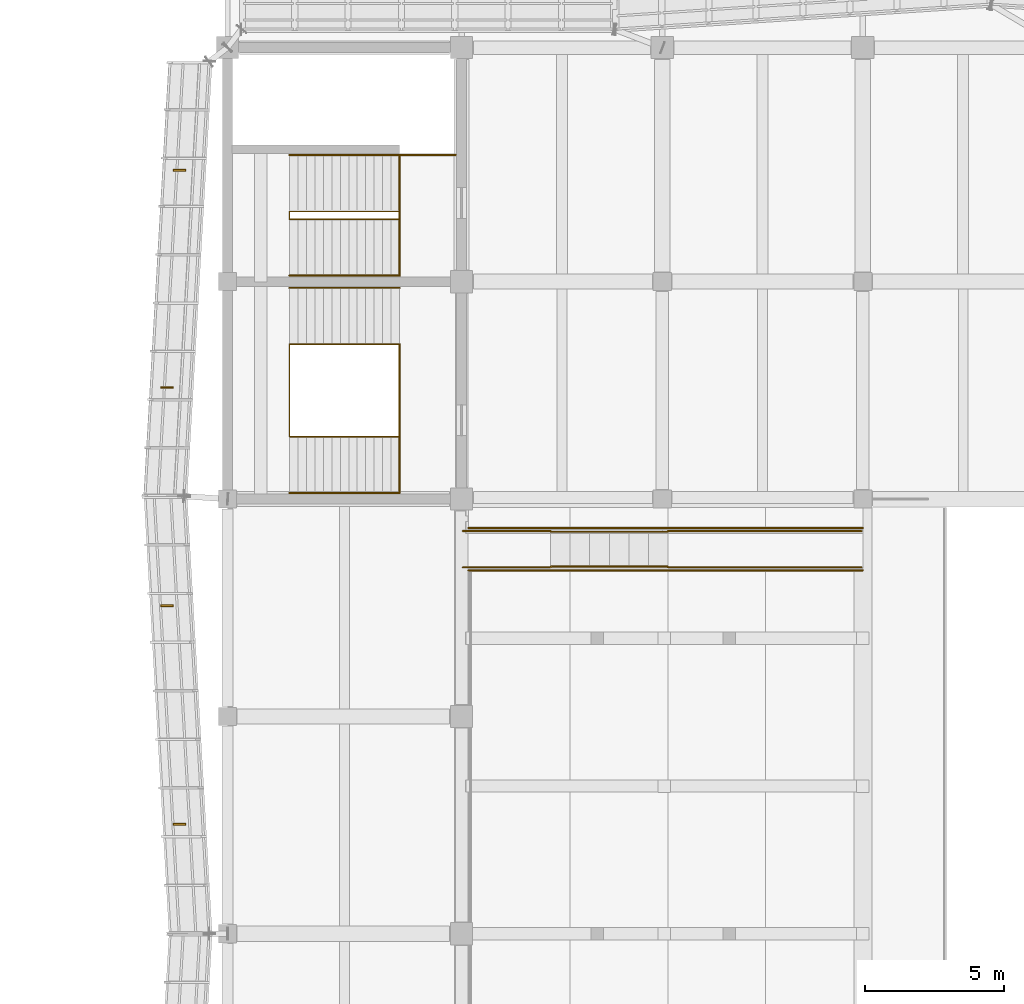
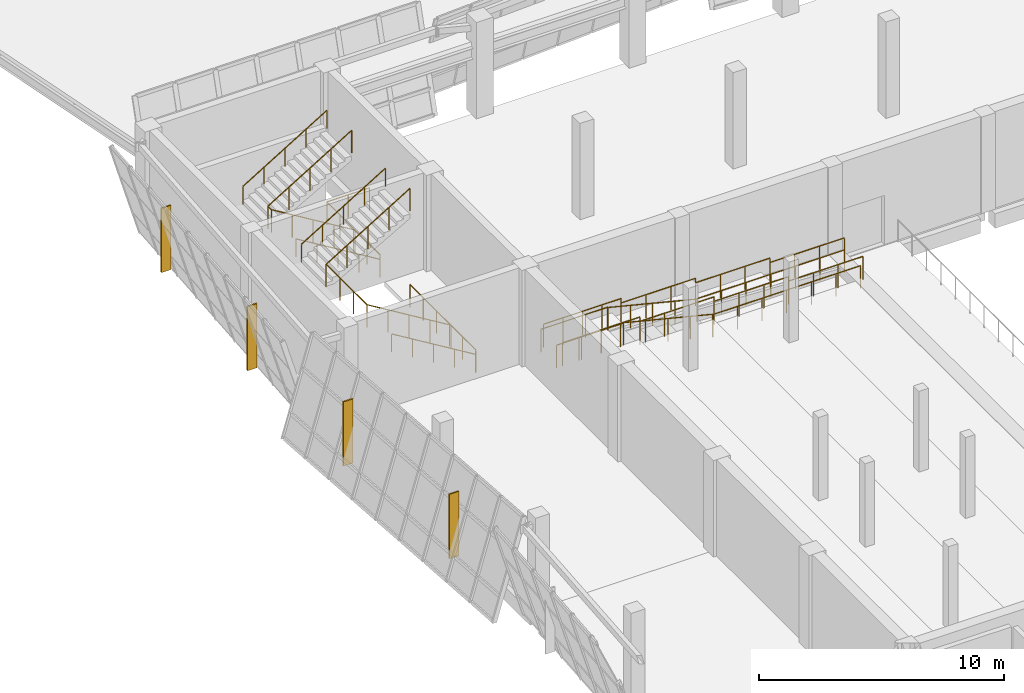
# One storey, part 76 of 79: 20 railings, 4 shading devices.
"""IFC4 building model written with IfcOpenShell, lengths in metres."""

from ifc_helpers import new_model, si_unit, direction, frame, origin, origin_2d, place, context, subcontext, project, spatial, rectangle, circle, extrude, material, type_object, element, save


model = new_model("IFC4")

# Units and contexts
model_context = context("Model", 3, precision=1e-05, world=origin(), true_north=direction((0.0, 1.0)))
body_context = subcontext(model_context, "Body", "Model", "MODEL_VIEW")
ifc_project = project(units=[si_unit("LENGTHUNIT", "METRE"), si_unit("AREAUNIT", "SQUARE_METRE"), si_unit("VOLUMEUNIT", "CUBIC_METRE"), si_unit("PLANEANGLEUNIT", "RADIAN"), si_unit("MASSUNIT", "GRAM", prefix="KILO")], contexts=[model_context])

# Site, building, storey
site_placement = place(None, origin())
site = spatial("IfcSite", under=ifc_project, at=site_placement, CompositionType="ELEMENT")
building_placement = place(site_placement, origin())
building = spatial("IfcBuilding", under=site, at=building_placement, Name="Pellamere Symphony Hall", CompositionType="ELEMENT")
storey_placement = place(building_placement, frame((0.0, 0.0, 10.199951171875)))
storey = spatial("IfcBuildingStorey", under=building, at=storey_placement, Name="L02", CompositionType="ELEMENT", Elevation=10.199951171875)

# Shading devices
ifc_material_1 = material(Name="Champagne-Anodised Extruded Aluminium 6063-T6", Category="aluminium")
shading_device_type = type_object("IfcShadingDeviceType", Name="Exterior Shading SD-01 65x450", PredefinedType="SHUTTER", material=ifc_material_1)
for number, where, z_axis, x_axis, name in (
    (1, (48.674072265625, 89.199951171875, 0.80029296875), (0.0, 0.0, 1.0), (0.0, 1.0, 0.0), "Crystal Acoustic Sunshade Fin CW-CR15 (L02)"),
    (2, (48.22412109375, 81.39990234375, 0.80029296875), (0.0, 0.0, 1.0), (0.0, 1.0, 0.0), "Crystal Acoustic Sunshade Fin CW-CR15 (L02)"),
    (3, (48.22412109375, 73.574951171875, 0.80029296875), (0.0, 0.0, 1.0), (0.0, 1.0, 0.0), "Crystal Acoustic Sunshade Fin CW-CR16 (L02)"),
    (4, (48.674072265625, 65.72509765625, 0.80029296875), (0.0, 0.0, 1.0), (0.0, 1.0, 0.0), "Crystal Acoustic Sunshade Fin CW-CR16 (L02)"),
):
    element("IfcShadingDevice", number, at=place(storey_placement, frame(where, z_axis=z_axis, x_axis=x_axis)), inside=storey, type_object=shading_device_type, Name=name, PredefinedType="SHUTTER", context=body_context, shape_type="SweptSolid", body=[
        extrude(rectangle(XDim=0.06494140625, YDim=0.449951171875, at=origin_2d()), origin(), (0.0, 0.0, 1.0), 3.199951171875),
    ])

# Railings
ifc_material_2 = material(Name="Painted Steel CSA G40.21 350W", Category="steel")
railing_type_1 = type_object("IfcRailingType", Name="Guardrail GR-02 H1150 Painted", PredefinedType="GUARDRAIL", material=ifc_material_2)
railing_1_placement = place(storey_placement, frame((56.574951171875, 79.639892578125, 0.0)))
element("IfcRailing", 5, at=railing_1_placement, inside=storey, type_object=railing_type_1, Name="Stair ST07-L02 Continuous Well Guardrail (L02)", PredefinedType="GUARDRAIL", context=body_context, shape_type="SweptSolid", body=[
    extrude(circle(Radius=0.02392578125, at=origin_2d()), frame((0.0, 0.0, 1.1259765625), z_axis=(-0.854599162348, 0.0, 0.519288235679), x_axis=(0.0, -1.0, 0.0)), (0.0, 0.0, 1.0), 4.6220703125),
    extrude(circle(Radius=0.02392578125, at=origin_2d()), frame((-3.949951171875, 0.0, 3.52587890625), z_axis=(0.0, 1.0, 0.0), x_axis=(-1.0, 0.0, 0.0)), (0.0, 0.0, 1.0), 3.320068359375),
    extrude(circle(Radius=0.02392578125, at=origin_2d()), frame((-3.949951171875, 3.320068359375, 3.52587890625), z_axis=(0.854622603422, 0.0, 0.519249656446), x_axis=(0.0, 1.0, 0.0)), (0.0, 0.0, 1.0), 4.621826171875),
    extrude(circle(Radius=0.02099609375, at=origin_2d()), origin(), (0.0, 0.0, 1.0), 1.101806640625),
    extrude(circle(Radius=0.02099609375, at=origin_2d()), frame((-0.987548828125, 0.0, 0.60009765625)), (0.0, 0.0, 1.0), 1.101806640625),
    extrude(circle(Radius=0.02099609375, at=origin_2d()), frame((-1.97509765625, 0.0, 1.2001953125)), (0.0, 0.0, 1.0), 1.101806640625),
    extrude(circle(Radius=0.02099609375, at=origin_2d()), frame((-2.96240234375, 0.0, 1.800048828125)), (0.0, 0.0, 1.0), 1.101806640625),
    extrude(circle(Radius=0.02099609375, at=origin_2d()), frame((-3.949951171875, 0.0, 2.400146484375)), (0.0, 0.0, 1.0), 1.101806640625),
    extrude(circle(Radius=0.02099609375, at=origin_2d()), frame((-3.949951171875, 1.106689453125, 2.400146484375)), (0.0, 0.0, 1.0), 1.101806640625),
    extrude(circle(Radius=0.02099609375, at=origin_2d()), frame((-3.949951171875, 2.21337890625, 2.400146484375)), (0.0, 0.0, 1.0), 1.101806640625),
    extrude(circle(Radius=0.02099609375, at=origin_2d()), frame((-3.949951171875, 3.320068359375, 2.400146484375)), (0.0, 0.0, 1.0), 1.101806640625),
    extrude(circle(Radius=0.02099609375, at=origin_2d()), frame((-2.96240234375, 3.320068359375, 3.0)), (0.0, 0.0, 1.0), 1.101806640625),
    extrude(circle(Radius=0.02099609375, at=origin_2d()), frame((-1.97509765625, 3.320068359375, 3.60009765625)), (0.0, 0.0, 1.0), 1.101806640625),
    extrude(circle(Radius=0.02099609375, at=origin_2d()), frame((-0.987548828125, 3.320068359375, 4.2001953125)), (0.0, 0.0, 1.0), 1.101806640625),
    extrude(circle(Radius=0.02099609375, at=origin_2d()), frame((0.0, 3.320068359375, 4.800048828125)), (0.0, 0.0, 1.0), 1.101806640625),
])
railing_2_placement = place(storey_placement, frame((56.574951171875, 77.610107421875, 0.0)))
element("IfcRailing", 6, at=railing_2_placement, inside=storey, type_object=railing_type_1, Name="Stair ST07-L02 Landing Well Slot Guard (L02)", PredefinedType="GUARDRAIL", context=body_context, shape_type="SweptSolid", body=[
    extrude(circle(Radius=0.02392578125, at=origin_2d()), frame((0.0, 0.0, 1.1259765625), z_axis=(0.0, 1.0, 0.0), x_axis=(-1.0, 0.0, 0.0)), (0.0, 0.0, 1.0), 5.349853515625),
    extrude(circle(Radius=0.02099609375, at=origin_2d()), origin(), (0.0, 0.0, 1.0), 1.101806640625),
    extrude(circle(Radius=0.02099609375, at=origin_2d()), frame((0.0, 1.070068359375, 0.0)), (0.0, 0.0, 1.0), 1.101806640625),
    extrude(circle(Radius=0.02099609375, at=origin_2d()), frame((0.0, 2.139892578125, 0.0)), (0.0, 0.0, 1.0), 1.101806640625),
    extrude(circle(Radius=0.02099609375, at=origin_2d()), frame((0.0, 3.2099609375, 0.0)), (0.0, 0.0, 1.0), 1.101806640625),
    extrude(circle(Radius=0.02099609375, at=origin_2d()), frame((0.0, 4.27978515625, 0.0)), (0.0, 0.0, 1.0), 1.101806640625),
    extrude(circle(Radius=0.02099609375, at=origin_2d()), frame((0.0, 5.349853515625, 0.0)), (0.0, 0.0, 1.0), 1.101806640625),
])
railing_3_placement = place(storey_placement, frame((56.574951171875, 87.43994140625, 0.0)))
element("IfcRailing", 7, at=railing_3_placement, inside=storey, type_object=railing_type_1, Name="Stair ST13-L02 Continuous Well Guardrail (L02)", PredefinedType="GUARDRAIL", context=body_context, shape_type="SweptSolid", body=[
    extrude(circle(Radius=0.02392578125, at=origin_2d()), frame((0.0, 0.0, 1.1259765625), z_axis=(-0.854599162348, 0.0, 0.519288235679), x_axis=(0.0, -1.0, 0.0)), (0.0, 0.0, 1.0), 4.6220703125),
    extrude(circle(Radius=0.02392578125, at=origin_2d()), frame((-3.949951171875, 0.0, 3.52587890625), z_axis=(0.0, 1.0, 0.0), x_axis=(-1.0, 0.0, 0.0)), (0.0, 0.0, 1.0), 0.280029296875),
    extrude(circle(Radius=0.02392578125, at=origin_2d()), frame((-3.949951171875, 0.280029296875, 3.52587890625), z_axis=(0.854622603422, 0.0, 0.519249656446), x_axis=(0.0, 1.0, 0.0)), (0.0, 0.0, 1.0), 4.621826171875),
    extrude(circle(Radius=0.02099609375, at=origin_2d()), origin(), (0.0, 0.0, 1.0), 1.101806640625),
    extrude(circle(Radius=0.02099609375, at=origin_2d()), frame((-0.987548828125, 0.0, 0.60009765625)), (0.0, 0.0, 1.0), 1.101806640625),
    extrude(circle(Radius=0.02099609375, at=origin_2d()), frame((-1.97509765625, 0.0, 1.2001953125)), (0.0, 0.0, 1.0), 1.101806640625),
    extrude(circle(Radius=0.02099609375, at=origin_2d()), frame((-2.96240234375, 0.0, 1.800048828125)), (0.0, 0.0, 1.0), 1.101806640625),
    extrude(circle(Radius=0.02099609375, at=origin_2d()), frame((-3.949951171875, 0.0, 2.400146484375)), (0.0, 0.0, 1.0), 1.101806640625),
    extrude(circle(Radius=0.02099609375, at=origin_2d()), frame((-3.949951171875, 0.280029296875, 2.400146484375)), (0.0, 0.0, 1.0), 1.101806640625),
    extrude(circle(Radius=0.02099609375, at=origin_2d()), frame((-2.96240234375, 0.280029296875, 3.0)), (0.0, 0.0, 1.0), 1.101806640625),
    extrude(circle(Radius=0.02099609375, at=origin_2d()), frame((-1.97509765625, 0.280029296875, 3.60009765625)), (0.0, 0.0, 1.0), 1.101806640625),
    extrude(circle(Radius=0.02099609375, at=origin_2d()), frame((-0.987548828125, 0.280029296875, 4.2001953125)), (0.0, 0.0, 1.0), 1.101806640625),
    extrude(circle(Radius=0.02099609375, at=origin_2d()), frame((0.0, 0.280029296875, 4.800048828125)), (0.0, 0.0, 1.0), 1.101806640625),
])
railing_4_placement = place(storey_placement, frame((56.574951171875, 85.409912109375, 0.0)))
element("IfcRailing", 8, at=railing_4_placement, inside=storey, type_object=railing_type_1, Name="Stair ST13-L02 Landing Well Slot Guard (L02)", PredefinedType="GUARDRAIL", context=body_context, shape_type="SweptSolid", body=[
    extrude(circle(Radius=0.02392578125, at=origin_2d()), frame((0.0, 0.0, 1.1259765625), z_axis=(0.0, 1.0, 0.0), x_axis=(-1.0, 0.0, 0.0)), (0.0, 0.0, 1.0), 4.340087890625),
    extrude(circle(Radius=0.02392578125, at=origin_2d()), frame((0.0, 4.340087890625, 1.1259765625), z_axis=(1.0, 0.0, 0.0), x_axis=(0.0, 1.0, 0.0)), (0.0, 0.0, 1.0), 2.01513671875),
    extrude(circle(Radius=0.02099609375, at=origin_2d()), origin(), (0.0, 0.0, 1.0), 1.101806640625),
    extrude(circle(Radius=0.02099609375, at=origin_2d()), frame((0.0, 1.0849609375, 0.0)), (0.0, 0.0, 1.0), 1.101806640625),
    extrude(circle(Radius=0.02099609375, at=origin_2d()), frame((0.0, 2.169921875, 0.0)), (0.0, 0.0, 1.0), 1.101806640625),
    extrude(circle(Radius=0.02099609375, at=origin_2d()), frame((0.0, 3.255126953125, 0.0)), (0.0, 0.0, 1.0), 1.101806640625),
    extrude(circle(Radius=0.02099609375, at=origin_2d()), frame((0.0, 4.340087890625, 0.0)), (0.0, 0.0, 1.0), 1.101806640625),
    extrude(circle(Radius=0.02099609375, at=origin_2d()), frame((1.007568359375, 4.340087890625, 0.0)), (0.0, 0.0, 1.0), 1.101806640625),
    extrude(circle(Radius=0.02099609375, at=origin_2d()), frame((2.01513671875, 4.340087890625, 0.0)), (0.0, 0.0, 1.0), 1.101806640625),
])
for number, where, name in (
    (9, (66.199951171875, 74.949951171875, 0.0), "Vomitory VOM-04 Lower Landing Guard 1"),
    (10, (66.199951171875, 76.25, 0.0), "Vomitory VOM-04 Lower Landing Guard 2"),
):
    element("IfcRailing", number, at=place(storey_placement, frame(where)), inside=storey, type_object=railing_type_1, Name=name, PredefinedType="GUARDRAIL", context=body_context, shape_type="SweptSolid", body=[
        extrude(circle(Radius=0.02392578125, at=origin_2d()), frame((0.0, 0.0, 1.1259765625), z_axis=(1.0, 0.0, 0.0), x_axis=(0.0, 1.0, 0.0)), (0.0, 0.0, 1.0), 6.949951171875),
        extrude(circle(Radius=0.02099609375, at=origin_2d()), origin(), (0.0, 0.0, 1.0), 1.101806640625),
        extrude(circle(Radius=0.02099609375, at=origin_2d()), frame((1.158203125, 0.0, 0.0)), (0.0, 0.0, 1.0), 1.101806640625),
        extrude(circle(Radius=0.02099609375, at=origin_2d()), frame((2.316650390625, 0.0, 0.0)), (0.0, 0.0, 1.0), 1.101806640625),
        extrude(circle(Radius=0.02099609375, at=origin_2d()), frame((3.47509765625, 0.0, 0.0)), (0.0, 0.0, 1.0), 1.101806640625),
        extrude(circle(Radius=0.02099609375, at=origin_2d()), frame((4.63330078125, 0.0, 0.0)), (0.0, 0.0, 1.0), 1.101806640625),
        extrude(circle(Radius=0.02099609375, at=origin_2d()), frame((5.79150390625, 0.0, 0.0)), (0.0, 0.0, 1.0), 1.101806640625),
        extrude(circle(Radius=0.02099609375, at=origin_2d()), frame((6.949951171875, 0.0, 0.0)), (0.0, 0.0, 1.0), 1.101806640625),
    ])
railing_5_placement = place(storey_placement, frame((66.199951171875, 74.97509765625, 0.0)))
element("IfcRailing", 11, at=railing_5_placement, inside=storey, type_object=railing_type_1, Name="Vomitory VOM-04 South Guardrail", PredefinedType="GUARDRAIL", context=body_context, shape_type="SweptSolid", body=[
    extrude(circle(Radius=0.02392578125, at=origin_2d()), frame((0.0, 0.0, 1.1259765625), z_axis=(-0.970139182784, 0.0, 0.242548894097), x_axis=(0.0, -1.0, 0.0)), (0.0, 0.0, 1.0), 4.329345703125),
    extrude(circle(Radius=0.02392578125, at=origin_2d()), frame((-4.199951171875, 0.0, 2.17578125), z_axis=(0.0, -1.0, 0.0), x_axis=(1.0, 0.0, 0.0)), (0.0, 0.0, 1.0), 0.025146484375),
    extrude(circle(Radius=0.02392578125, at=origin_2d()), frame((-4.199951171875, -0.025146484375, 2.17578125), z_axis=(-1.0, 0.0, 0.0), x_axis=(0.0, -1.0, 0.0)), (0.0, 0.0, 1.0), 3.14990234375),
    extrude(circle(Radius=0.02099609375, at=origin_2d()), origin(), (0.0, 0.0, 1.0), 1.101806640625),
    extrude(circle(Radius=0.02099609375, at=origin_2d()), frame((-1.050048828125, 0.0, 0.262451171875)), (0.0, 0.0, 1.0), 1.101806640625),
    extrude(circle(Radius=0.02099609375, at=origin_2d()), frame((-2.10009765625, 0.0, 0.52490234375)), (0.0, 0.0, 1.0), 1.101806640625),
    extrude(circle(Radius=0.02099609375, at=origin_2d()), frame((-3.14990234375, 0.0, 0.78759765625)), (0.0, 0.0, 1.0), 1.101806640625),
    extrude(circle(Radius=0.02099609375, at=origin_2d()), frame((-4.199951171875, 0.0, 1.050048828125)), (0.0, 0.0, 1.0), 1.101806640625),
    extrude(circle(Radius=0.02099609375, at=origin_2d()), frame((-4.199951171875, -0.025146484375, 1.050048828125)), (0.0, 0.0, 1.0), 1.101806640625),
    extrude(circle(Radius=0.02099609375, at=origin_2d()), frame((-5.25, -0.025146484375, 1.050048828125)), (0.0, 0.0, 1.0), 1.101806640625),
    extrude(circle(Radius=0.02099609375, at=origin_2d()), frame((-6.2998046875, -0.025146484375, 1.050048828125)), (0.0, 0.0, 1.0), 1.101806640625),
    extrude(circle(Radius=0.02099609375, at=origin_2d()), frame((-7.349853515625, -0.025146484375, 1.050048828125)), (0.0, 0.0, 1.0), 1.101806640625),
])
railing_6_placement = place(storey_placement, frame((66.199951171875, 76.22509765625, 0.0)))
element("IfcRailing", 12, at=railing_6_placement, inside=storey, type_object=railing_type_1, Name="Vomitory VOM-04 North Guardrail", PredefinedType="GUARDRAIL", context=body_context, shape_type="SweptSolid", body=[
    extrude(circle(Radius=0.02392578125, at=origin_2d()), frame((0.0, 0.0, 1.1259765625), z_axis=(-0.970139182784, 0.0, 0.242548894097), x_axis=(0.0, -1.0, 0.0)), (0.0, 0.0, 1.0), 4.329345703125),
    extrude(circle(Radius=0.02392578125, at=origin_2d()), frame((-4.199951171875, 0.0, 2.17578125), z_axis=(0.0, 1.0, 0.0), x_axis=(-1.0, 0.0, 0.0)), (0.0, 0.0, 1.0), 0.02490234375),
    extrude(circle(Radius=0.02392578125, at=origin_2d()), frame((-4.199951171875, 0.02490234375, 2.17578125), z_axis=(-1.0, 0.0, 0.0), x_axis=(0.0, -1.0, 0.0)), (0.0, 0.0, 1.0), 3.14990234375),
    extrude(circle(Radius=0.02099609375, at=origin_2d()), origin(), (0.0, 0.0, 1.0), 1.101806640625),
    extrude(circle(Radius=0.02099609375, at=origin_2d()), frame((-1.050048828125, 0.0, 0.262451171875)), (0.0, 0.0, 1.0), 1.101806640625),
    extrude(circle(Radius=0.02099609375, at=origin_2d()), frame((-2.10009765625, 0.0, 0.52490234375)), (0.0, 0.0, 1.0), 1.101806640625),
    extrude(circle(Radius=0.02099609375, at=origin_2d()), frame((-3.14990234375, 0.0, 0.78759765625)), (0.0, 0.0, 1.0), 1.101806640625),
    extrude(circle(Radius=0.02099609375, at=origin_2d()), frame((-4.199951171875, 0.0, 1.050048828125)), (0.0, 0.0, 1.0), 1.101806640625),
    extrude(circle(Radius=0.02099609375, at=origin_2d()), frame((-4.199951171875, 0.02490234375, 1.050048828125)), (0.0, 0.0, 1.0), 1.101806640625),
    extrude(circle(Radius=0.02099609375, at=origin_2d()), frame((-5.25, 0.02490234375, 1.050048828125)), (0.0, 0.0, 1.0), 1.101806640625),
    extrude(circle(Radius=0.02099609375, at=origin_2d()), frame((-6.2998046875, 0.02490234375, 1.050048828125)), (0.0, 0.0, 1.0), 1.101806640625),
    extrude(circle(Radius=0.02099609375, at=origin_2d()), frame((-7.349853515625, 0.02490234375, 1.050048828125)), (0.0, 0.0, 1.0), 1.101806640625),
])
ifc_material_3 = material(Name="Laminated Safety Glass 21.5mm with Stainless Cap", Category="glass")
railing_type_2 = type_object("IfcRailingType", Name="Guardrail GR-03 H1180 Laminated", PredefinedType="GUARDRAIL", material=ifc_material_3)
railing_7_placement = place(storey_placement, frame((59.050048828125, 74.840087890625, 1.14013671875)))
element("IfcRailing", 13, at=railing_7_placement, inside=storey, type_object=railing_type_2, Name="Vomitory Slot Bay 1 Balustrade VOM-04-1", PredefinedType="GUARDRAIL", context=body_context, shape_type="SweptSolid", body=[
    extrude(circle(Radius=0.02392578125, at=origin_2d()), frame((0.0, 0.0, 1.15576171875), z_axis=(1.0, 0.0, 0.0), x_axis=(0.0, 1.0, 0.0)), (0.0, 0.0, 1.0), 3.64990234375),
    extrude(circle(Radius=0.02099609375, at=origin_2d()), origin(), (0.0, 0.0, 1.0), 1.1318359375),
    extrude(circle(Radius=0.02099609375, at=origin_2d()), frame((0.91259765625, 0.0, 0.0)), (0.0, 0.0, 1.0), 1.1318359375),
    extrude(circle(Radius=0.02099609375, at=origin_2d()), frame((1.824951171875, 0.0, 0.0)), (0.0, 0.0, 1.0), 1.1318359375),
    extrude(circle(Radius=0.02099609375, at=origin_2d()), frame((2.7373046875, 0.0, 0.0)), (0.0, 0.0, 1.0), 1.1318359375),
    extrude(circle(Radius=0.02099609375, at=origin_2d()), frame((3.64990234375, 0.0, 0.0)), (0.0, 0.0, 1.0), 1.1318359375),
])
for number, where, name in (
    (14, (62.699951171875, 74.840087890625, 0.920166015625), "Vomitory Slot Bay 2 Balustrade VOM-04-1"),
    (15, (66.199951171875, 74.840087890625, 0.699951171875), "Vomitory Slot Bay 3 Balustrade VOM-04-1"),
    (16, (69.699951171875, 74.840087890625, 0.47998046875), "Vomitory Slot Bay 4 Balustrade VOM-04-1"),
):
    element("IfcRailing", number, at=place(storey_placement, frame(where)), inside=storey, type_object=railing_type_2, Name=name, PredefinedType="GUARDRAIL", context=body_context, shape_type="SweptSolid", body=[
        extrude(circle(Radius=0.02392578125, at=origin_2d()), frame((0.0, 0.0, 1.15576171875), z_axis=(1.0, 0.0, 0.0), x_axis=(0.0, 1.0, 0.0)), (0.0, 0.0, 1.0), 3.5),
        extrude(circle(Radius=0.02099609375, at=origin_2d()), origin(), (0.0, 0.0, 1.0), 1.1318359375),
        extrude(circle(Radius=0.02099609375, at=origin_2d()), frame((1.166748046875, 0.0, 0.0)), (0.0, 0.0, 1.0), 1.1318359375),
        extrude(circle(Radius=0.02099609375, at=origin_2d()), frame((2.333251953125, 0.0, 0.0)), (0.0, 0.0, 1.0), 1.1318359375),
        extrude(circle(Radius=0.02099609375, at=origin_2d()), frame((3.5, 0.0, 0.0)), (0.0, 0.0, 1.0), 1.1318359375),
    ])
railing_8_placement = place(storey_placement, frame((59.050048828125, 76.360107421875, 1.14013671875)))
element("IfcRailing", 17, at=railing_8_placement, inside=storey, type_object=railing_type_2, Name="Vomitory Slot Bay 1 Balustrade VOM-04-2", PredefinedType="GUARDRAIL", context=body_context, shape_type="SweptSolid", body=[
    extrude(circle(Radius=0.02392578125, at=origin_2d()), frame((0.0, 0.0, 1.15576171875), z_axis=(1.0, 0.0, 0.0), x_axis=(0.0, 1.0, 0.0)), (0.0, 0.0, 1.0), 3.64990234375),
    extrude(circle(Radius=0.02099609375, at=origin_2d()), origin(), (0.0, 0.0, 1.0), 1.1318359375),
    extrude(circle(Radius=0.02099609375, at=origin_2d()), frame((0.91259765625, 0.0, 0.0)), (0.0, 0.0, 1.0), 1.1318359375),
    extrude(circle(Radius=0.02099609375, at=origin_2d()), frame((1.824951171875, 0.0, 0.0)), (0.0, 0.0, 1.0), 1.1318359375),
    extrude(circle(Radius=0.02099609375, at=origin_2d()), frame((2.7373046875, 0.0, 0.0)), (0.0, 0.0, 1.0), 1.1318359375),
    extrude(circle(Radius=0.02099609375, at=origin_2d()), frame((3.64990234375, 0.0, 0.0)), (0.0, 0.0, 1.0), 1.1318359375),
])
for number, where, name in (
    (18, (62.699951171875, 76.360107421875, 0.920166015625), "Vomitory Slot Bay 2 Balustrade VOM-04-2"),
    (19, (66.199951171875, 76.360107421875, 0.699951171875), "Vomitory Slot Bay 3 Balustrade VOM-04-2"),
    (20, (69.699951171875, 76.360107421875, 0.47998046875), "Vomitory Slot Bay 4 Balustrade VOM-04-2"),
):
    element("IfcRailing", number, at=place(storey_placement, frame(where)), inside=storey, type_object=railing_type_2, Name=name, PredefinedType="GUARDRAIL", context=body_context, shape_type="SweptSolid", body=[
        extrude(circle(Radius=0.02392578125, at=origin_2d()), frame((0.0, 0.0, 1.15576171875), z_axis=(1.0, 0.0, 0.0), x_axis=(0.0, 1.0, 0.0)), (0.0, 0.0, 1.0), 3.5),
        extrude(circle(Radius=0.02099609375, at=origin_2d()), origin(), (0.0, 0.0, 1.0), 1.1318359375),
        extrude(circle(Radius=0.02099609375, at=origin_2d()), frame((1.166748046875, 0.0, 0.0)), (0.0, 0.0, 1.0), 1.1318359375),
        extrude(circle(Radius=0.02099609375, at=origin_2d()), frame((2.333251953125, 0.0, 0.0)), (0.0, 0.0, 1.0), 1.1318359375),
        extrude(circle(Radius=0.02099609375, at=origin_2d()), frame((3.5, 0.0, 0.0)), (0.0, 0.0, 1.0), 1.1318359375),
    ])
ifc_material_4 = material(Name="Stainless Steel AISI 316", Category="steel")
railing_type_3 = type_object("IfcRailingType", Name="Handrail HR-01 H920 Stainless", PredefinedType="HANDRAIL", material=ifc_material_4)
railing_9_placement = place(storey_placement, frame((56.574951171875, 77.6201171875, 0.0)))
element("IfcRailing", 21, at=railing_9_placement, inside=storey, type_object=railing_type_3, Name="Stair ST07-L02 Lower Wall Handrail (L02)", PredefinedType="HANDRAIL", context=body_context, shape_type="SweptSolid", body=[
    extrude(circle(Radius=0.02392578125, at=origin_2d()), frame((0.0, 0.0, 0.89599609375), z_axis=(-0.854599162348, 0.0, 0.519288235679), x_axis=(0.0, -1.0, 0.0)), (0.0, 0.0, 1.0), 4.6220703125),
    extrude(circle(Radius=0.02099609375, at=origin_2d()), origin(), (0.0, 0.0, 1.0), 0.871826171875),
    extrude(circle(Radius=0.02099609375, at=origin_2d()), frame((-0.987548828125, 0.0, 0.60009765625)), (0.0, 0.0, 1.0), 0.871826171875),
    extrude(circle(Radius=0.02099609375, at=origin_2d()), frame((-1.97509765625, 0.0, 1.2001953125)), (0.0, 0.0, 1.0), 0.871826171875),
    extrude(circle(Radius=0.02099609375, at=origin_2d()), frame((-2.96240234375, 0.0, 1.800048828125)), (0.0, 0.0, 1.0), 0.871826171875),
    extrude(circle(Radius=0.02099609375, at=origin_2d()), frame((-3.949951171875, 0.0, 2.400146484375)), (0.0, 0.0, 1.0), 0.871826171875),
])
railing_10_placement = place(storey_placement, frame((52.625, 84.97998046875, 2.400146484375)))
element("IfcRailing", 22, at=railing_10_placement, inside=storey, type_object=railing_type_3, Name="Stair ST07-L02 Upper Wall Handrail (L02)", PredefinedType="HANDRAIL", context=body_context, shape_type="SweptSolid", body=[
    extrude(circle(Radius=0.02392578125, at=origin_2d()), frame((0.0, 0.0, 0.89599609375), z_axis=(0.854622603422, 0.0, 0.519249656446), x_axis=(0.0, 1.0, 0.0)), (0.0, 0.0, 1.0), 4.621826171875),
    extrude(circle(Radius=0.02099609375, at=origin_2d()), origin(), (0.0, 0.0, 1.0), 0.871826171875),
    extrude(circle(Radius=0.02099609375, at=origin_2d()), frame((0.987548828125, 0.0, 0.60009765625)), (0.0, 0.0, 1.0), 0.871826171875),
    extrude(circle(Radius=0.02099609375, at=origin_2d()), frame((1.97509765625, 0.0, 1.199951171875)), (0.0, 0.0, 1.0), 0.871826171875),
    extrude(circle(Radius=0.02099609375, at=origin_2d()), frame((2.96240234375, 0.0, 1.7998046875)), (0.0, 0.0, 1.0), 0.871826171875),
    extrude(circle(Radius=0.02099609375, at=origin_2d()), frame((3.949951171875, 0.0, 2.39990234375)), (0.0, 0.0, 1.0), 0.871826171875),
])
railing_11_placement = place(storey_placement, frame((56.574951171875, 85.419921875, 0.0)))
element("IfcRailing", 23, at=railing_11_placement, inside=storey, type_object=railing_type_3, Name="Stair ST13-L02 Lower Wall Handrail (L02)", PredefinedType="HANDRAIL", context=body_context, shape_type="SweptSolid", body=[
    extrude(circle(Radius=0.02392578125, at=origin_2d()), frame((0.0, 0.0, 0.89599609375), z_axis=(-0.854599162348, 0.0, 0.519288235679), x_axis=(0.0, -1.0, 0.0)), (0.0, 0.0, 1.0), 4.6220703125),
    extrude(circle(Radius=0.02099609375, at=origin_2d()), origin(), (0.0, 0.0, 1.0), 0.871826171875),
    extrude(circle(Radius=0.02099609375, at=origin_2d()), frame((-0.987548828125, 0.0, 0.60009765625)), (0.0, 0.0, 1.0), 0.871826171875),
    extrude(circle(Radius=0.02099609375, at=origin_2d()), frame((-1.97509765625, 0.0, 1.2001953125)), (0.0, 0.0, 1.0), 0.871826171875),
    extrude(circle(Radius=0.02099609375, at=origin_2d()), frame((-2.96240234375, 0.0, 1.800048828125)), (0.0, 0.0, 1.0), 0.871826171875),
    extrude(circle(Radius=0.02099609375, at=origin_2d()), frame((-3.949951171875, 0.0, 2.400146484375)), (0.0, 0.0, 1.0), 0.871826171875),
])
railing_12_placement = place(storey_placement, frame((52.625, 89.739990234375, 2.400146484375)))
element("IfcRailing", 24, at=railing_12_placement, inside=storey, type_object=railing_type_3, Name="Stair ST13-L02 Upper Wall Handrail (L02)", PredefinedType="HANDRAIL", context=body_context, shape_type="SweptSolid", body=[
    extrude(circle(Radius=0.02392578125, at=origin_2d()), frame((0.0, 0.0, 0.89599609375), z_axis=(0.854622603422, 0.0, 0.519249656446), x_axis=(0.0, 1.0, 0.0)), (0.0, 0.0, 1.0), 4.621826171875),
    extrude(circle(Radius=0.02099609375, at=origin_2d()), origin(), (0.0, 0.0, 1.0), 0.871826171875),
    extrude(circle(Radius=0.02099609375, at=origin_2d()), frame((0.987548828125, 0.0, 0.60009765625)), (0.0, 0.0, 1.0), 0.871826171875),
    extrude(circle(Radius=0.02099609375, at=origin_2d()), frame((1.97509765625, 0.0, 1.199951171875)), (0.0, 0.0, 1.0), 0.871826171875),
    extrude(circle(Radius=0.02099609375, at=origin_2d()), frame((2.96240234375, 0.0, 1.7998046875)), (0.0, 0.0, 1.0), 0.871826171875),
    extrude(circle(Radius=0.02099609375, at=origin_2d()), frame((3.949951171875, 0.0, 2.39990234375)), (0.0, 0.0, 1.0), 0.871826171875),
])

save(model, "model.ifc")
